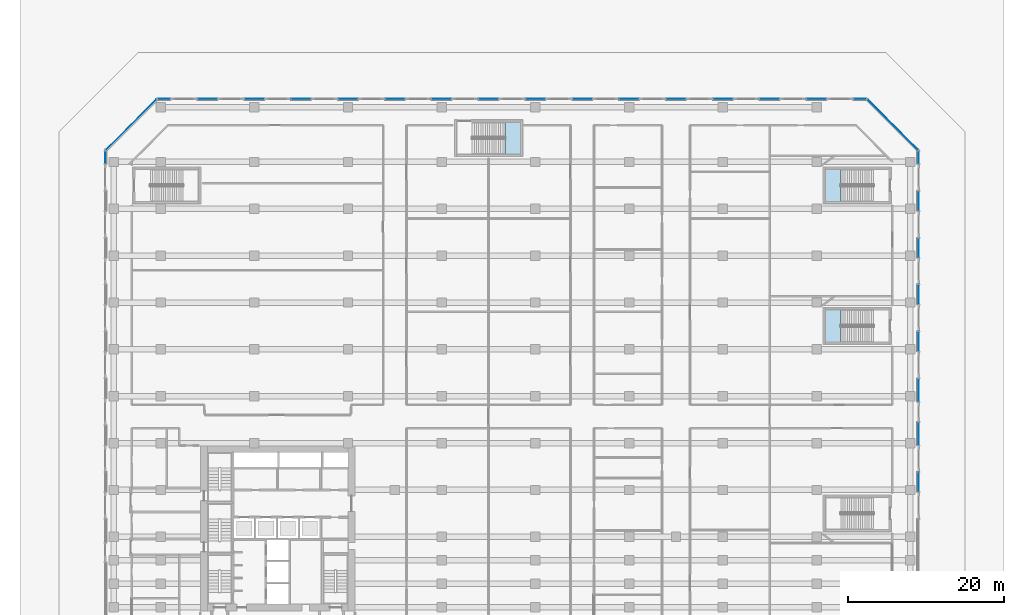
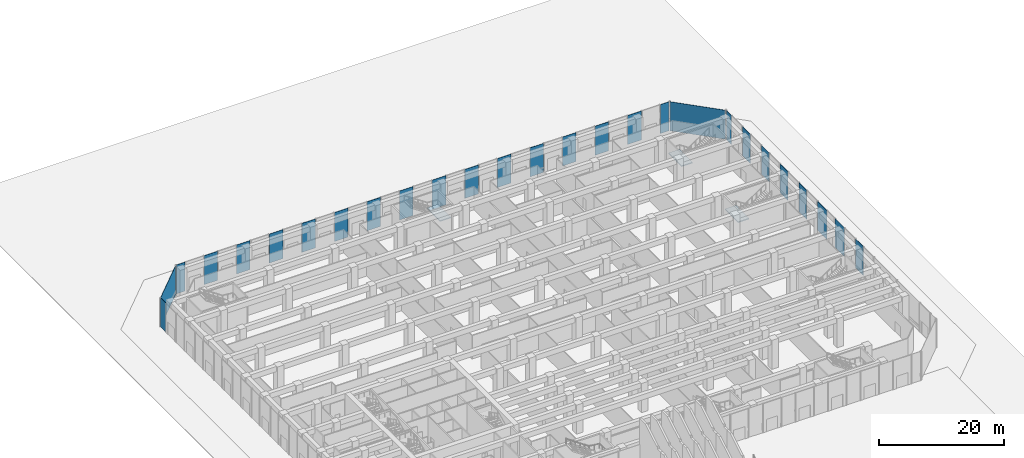
# One storey, part 15 of 32: 27 plates, 3 slabs, 30 elements without a shape of their own.
"""IFC4 building model written with IfcOpenShell, lengths in metres."""

from ifc_helpers import new_model, si_unit, direction, frame, origin, origin_2d, place, context, subcontext, project, spatial, polyline, rectangle, outline, extrude, material, layer, layer_set, type_object, element, aggregate, save


model = new_model("IFC4")

# Units and contexts
model_context = context("Model", 3, precision=1e-05, world=origin(), true_north=direction((0.0, 1.0)))
body_context = subcontext(model_context, "Body", "Model", "MODEL_VIEW")
ifc_project = project(units=[si_unit("LENGTHUNIT", "METRE"), si_unit("AREAUNIT", "SQUARE_METRE"), si_unit("VOLUMEUNIT", "CUBIC_METRE"), si_unit("PLANEANGLEUNIT", "RADIAN"), si_unit("MASSUNIT", "GRAM", prefix="KILO")], contexts=[model_context])

# Site, building, storey
site_placement = place(None, origin())
site = spatial("IfcSite", under=ifc_project, at=site_placement, CompositionType="ELEMENT")
building_placement = place(site_placement, origin())
building = spatial("IfcBuilding", under=site, at=building_placement, Name="Welwitschia Terrace Campus", CompositionType="ELEMENT")
storey_placement = place(building_placement, origin())
storey = spatial("IfcBuildingStorey", under=building, at=storey_placement, Name="L00", CompositionType="ELEMENT", Elevation=0.0)

# Curtain wall, plate
ifc_material_1 = material(Name="Bronze anodised aluminium", Category="aluminium")
ifc_layer_1 = layer(ifc_material_1, 0.199951171875)
ifc_layer_set_1 = layer_set([ifc_layer_1], Name="Bronze anodised aluminium")
curtain_wall_type = type_object("IfcCurtainWallType", Name="Curtain wall CW4 arcade shopfront 7500", PredefinedType="NOTDEFINED", material=ifc_layer_set_1)
curtain_wall_1_placement = place(storey_placement, origin())
curtain_wall_1 = element("IfcCurtainWall", 1, at=curtain_wall_1_placement, inside=storey, type_object=curtain_wall_type, Name="CW L00.2.g2", PredefinedType="NOTDEFINED")
ifc_material_2 = material(Name="Tinted bronze-grey glass", Category="glass")
ifc_layer_2 = layer(ifc_material_2, 0.0439453125)
ifc_layer_set_2 = layer_set([ifc_layer_2], Name="Tinted bronze-grey glass")
plate_type = type_object("IfcPlateType", Name="Glass panel 44 laminated", PredefinedType="CURTAIN_PANEL", material=ifc_layer_set_2)
plate_1_placement = place(storey_placement, frame((97.0849609375, 21.0, 0.0), z_axis=(0.0, 0.0, 1.0), x_axis=(0.0, 1.0, 0.0)))
plate_1 = element("IfcPlate", 2, at=plate_1_placement, type_object=plate_type, Name="Panel L00.2.g2.0", PredefinedType="CURTAIN_PANEL", context=body_context, shape_type="SweptSolid", body=[
    extrude(rectangle(XDim=2.5, YDim=0.0439453125, at=origin_2d()), origin(), (0.0, 0.0, 1.0), 5.64990234375),
])
aggregate(curtain_wall_1, [plate_1])

curtain_wall_2_placement = place(storey_placement, origin())
curtain_wall_2 = element("IfcCurtainWall", 3, at=curtain_wall_2_placement, inside=storey, type_object=curtain_wall_type, Name="CW L00.2.g3", PredefinedType="NOTDEFINED")
plate_2_placement = place(storey_placement, frame((97.0849609375, 27.22509765625, 0.0), z_axis=(0.0, 0.0, 1.0), x_axis=(0.0, 1.0, 0.0)))
plate_2 = element("IfcPlate", 4, at=plate_2_placement, type_object=plate_type, Name="Panel L00.2.g3.0", PredefinedType="CURTAIN_PANEL", context=body_context, shape_type="SweptSolid", body=[
    extrude(rectangle(XDim=2.949951171875, YDim=0.0439453125, at=origin_2d()), origin(), (0.0, 0.0, 1.0), 5.64990234375),
])
aggregate(curtain_wall_2, [plate_2])

curtain_wall_3_placement = place(storey_placement, origin())
curtain_wall_3 = element("IfcCurtainWall", 5, at=curtain_wall_3_placement, inside=storey, type_object=curtain_wall_type, Name="CW L00.2.g4", PredefinedType="NOTDEFINED")
plate_3_placement = place(storey_placement, frame((97.0849609375, 32.77490234375, 0.0), z_axis=(0.0, 0.0, 1.0), x_axis=(0.0, 1.0, 0.0)))
plate_3 = element("IfcPlate", 6, at=plate_3_placement, type_object=plate_type, Name="Panel L00.2.g4.0", PredefinedType="CURTAIN_PANEL", context=body_context, shape_type="SweptSolid", body=[
    extrude(rectangle(XDim=2.949951171875, YDim=0.0439453125, at=origin_2d()), origin(), (0.0, 0.0, 1.0), 5.64990234375),
])
aggregate(curtain_wall_3, [plate_3])

curtain_wall_4_placement = place(storey_placement, origin())
curtain_wall_4 = element("IfcCurtainWall", 7, at=curtain_wall_4_placement, inside=storey, type_object=curtain_wall_type, Name="CW L00.2.g5", PredefinedType="NOTDEFINED")
plate_4_placement = place(storey_placement, frame((97.0849609375, 39.0, 0.0), z_axis=(0.0, 0.0, 1.0), x_axis=(0.0, 1.0, 0.0)))
plate_4 = element("IfcPlate", 8, at=plate_4_placement, type_object=plate_type, Name="Panel L00.2.g5.0", PredefinedType="CURTAIN_PANEL", context=body_context, shape_type="SweptSolid", body=[
    extrude(rectangle(XDim=2.5, YDim=0.0439453125, at=origin_2d()), origin(), (0.0, 0.0, 1.0), 5.64990234375),
])
aggregate(curtain_wall_4, [plate_4])

curtain_wall_5_placement = place(storey_placement, origin())
curtain_wall_5 = element("IfcCurtainWall", 9, at=curtain_wall_5_placement, inside=storey, type_object=curtain_wall_type, Name="CW L00.2.g6", PredefinedType="NOTDEFINED")
plate_5_placement = place(storey_placement, frame((97.0849609375, 45.0, 0.0), z_axis=(0.0, 0.0, 1.0), x_axis=(0.0, 1.0, 0.0)))
plate_5 = element("IfcPlate", 10, at=plate_5_placement, type_object=plate_type, Name="Panel L00.2.g6.0", PredefinedType="CURTAIN_PANEL", context=body_context, shape_type="SweptSolid", body=[
    extrude(rectangle(XDim=2.5, YDim=0.0439453125, at=origin_2d()), origin(), (0.0, 0.0, 1.0), 5.64990234375),
])
aggregate(curtain_wall_5, [plate_5])

curtain_wall_6_placement = place(storey_placement, origin())
curtain_wall_6 = element("IfcCurtainWall", 11, at=curtain_wall_6_placement, inside=storey, type_object=curtain_wall_type, Name="CW L00.2.g7", PredefinedType="NOTDEFINED")
plate_6_placement = place(storey_placement, frame((97.0849609375, 51.0, 0.0), z_axis=(0.0, 0.0, 1.0), x_axis=(0.0, 1.0, 0.0)))
plate_6 = element("IfcPlate", 12, at=plate_6_placement, type_object=plate_type, Name="Panel L00.2.g7.0", PredefinedType="CURTAIN_PANEL", context=body_context, shape_type="SweptSolid", body=[
    extrude(rectangle(XDim=2.5, YDim=0.0439453125, at=origin_2d()), origin(), (0.0, 0.0, 1.0), 5.64990234375),
])
aggregate(curtain_wall_6, [plate_6])

curtain_wall_7_placement = place(storey_placement, origin())
curtain_wall_7 = element("IfcCurtainWall", 13, at=curtain_wall_7_placement, inside=storey, type_object=curtain_wall_type, Name="CW L00.2.g8", PredefinedType="NOTDEFINED")
plate_7_placement = place(storey_placement, frame((97.0849609375, 57.0, 0.0), z_axis=(0.0, 0.0, 1.0), x_axis=(0.0, 1.0, 0.0)))
plate_7 = element("IfcPlate", 14, at=plate_7_placement, type_object=plate_type, Name="Panel L00.2.g8.0", PredefinedType="CURTAIN_PANEL", context=body_context, shape_type="SweptSolid", body=[
    extrude(rectangle(XDim=2.5, YDim=0.0439453125, at=origin_2d()), origin(), (0.0, 0.0, 1.0), 5.64990234375),
])
aggregate(curtain_wall_7, [plate_7])

curtain_wall_8_placement = place(storey_placement, origin())
curtain_wall_8 = element("IfcCurtainWall", 15, at=curtain_wall_8_placement, inside=storey, type_object=curtain_wall_type, Name="CW L00.2.g9", PredefinedType="NOTDEFINED")
plate_8_placement = place(storey_placement, frame((97.0849609375, 62.5498046875, 0.0), z_axis=(0.0, 0.0, 1.0), x_axis=(0.0, 1.0, 0.0)))
plate_8 = element("IfcPlate", 16, at=plate_8_placement, type_object=plate_type, Name="Panel L00.2.g9.0", PredefinedType="CURTAIN_PANEL", context=body_context, shape_type="SweptSolid", body=[
    extrude(rectangle(XDim=1.599365234375, YDim=0.0439453125, at=origin_2d()), origin(), (0.0, 0.0, 1.0), 5.64990234375),
])
aggregate(curtain_wall_8, [plate_8])

curtain_wall_9_placement = place(storey_placement, origin())
curtain_wall_9 = element("IfcCurtainWall", 17, at=curtain_wall_9_placement, inside=storey, type_object=curtain_wall_type, Name="CW L00.3.g0", PredefinedType="NOTDEFINED")
plate_9_placement = place(storey_placement, frame((93.76708984375, 66.76708984375, 0.0), z_axis=(0.0, 0.0, 1.0), x_axis=(-0.707106781187, 0.707106781187, 0.0)))
plate_9 = element("IfcPlate", 18, at=plate_9_placement, type_object=plate_type, Name="Panel L00.3.g0.0", PredefinedType="CURTAIN_PANEL", context=body_context, shape_type="SweptSolid", body=[
    extrude(rectangle(XDim=9.18408203125, YDim=0.0439453125, at=origin_2d()), origin(), (0.0, 0.0, 1.0), 5.64990234375),
])
aggregate(curtain_wall_9, [plate_9])

curtain_wall_10_placement = place(storey_placement, origin())
curtain_wall_10 = element("IfcCurtainWall", 19, at=curtain_wall_10_placement, inside=storey, type_object=curtain_wall_type, Name="CW L00.4.g0", PredefinedType="NOTDEFINED")
plate_10_placement = place(storey_placement, frame((89.5498046875, 70.0849609375, 0.0), z_axis=(0.0, 0.0, 1.0), x_axis=(-1.0, 0.0, 0.0)))
plate_10 = element("IfcPlate", 20, at=plate_10_placement, type_object=plate_type, Name="Panel L00.4.g0.0", PredefinedType="CURTAIN_PANEL", context=body_context, shape_type="SweptSolid", body=[
    extrude(rectangle(XDim=1.599365234375, YDim=0.0439453125, at=origin_2d()), origin(), (0.0, 0.0, 1.0), 5.64990234375),
])
aggregate(curtain_wall_10, [plate_10])

curtain_wall_11_placement = place(storey_placement, origin())
curtain_wall_11 = element("IfcCurtainWall", 21, at=curtain_wall_11_placement, inside=storey, type_object=curtain_wall_type, Name="CW L00.4.g1", PredefinedType="NOTDEFINED")
plate_11_placement = place(storey_placement, frame((84.0, 70.0849609375, 0.0), z_axis=(0.0, 0.0, 1.0), x_axis=(-1.0, 0.0, 0.0)))
plate_11 = element("IfcPlate", 22, at=plate_11_placement, type_object=plate_type, Name="Panel L00.4.g1.0", PredefinedType="CURTAIN_PANEL", context=body_context, shape_type="SweptSolid", body=[
    extrude(rectangle(XDim=2.5, YDim=0.0439453125, at=origin_2d()), origin(), (0.0, 0.0, 1.0), 5.64990234375),
])
aggregate(curtain_wall_11, [plate_11])

curtain_wall_12_placement = place(storey_placement, origin())
curtain_wall_12 = element("IfcCurtainWall", 23, at=curtain_wall_12_placement, inside=storey, type_object=curtain_wall_type, Name="CW L00.4.g2", PredefinedType="NOTDEFINED")
plate_12_placement = place(storey_placement, frame((78.0, 70.0849609375, 0.0), z_axis=(0.0, 0.0, 1.0), x_axis=(-1.0, 0.0, 0.0)))
plate_12 = element("IfcPlate", 24, at=plate_12_placement, type_object=plate_type, Name="Panel L00.4.g2.0", PredefinedType="CURTAIN_PANEL", context=body_context, shape_type="SweptSolid", body=[
    extrude(rectangle(XDim=2.5, YDim=0.0439453125, at=origin_2d()), origin(), (0.0, 0.0, 1.0), 5.64990234375),
])
aggregate(curtain_wall_12, [plate_12])

curtain_wall_13_placement = place(storey_placement, origin())
curtain_wall_13 = element("IfcCurtainWall", 25, at=curtain_wall_13_placement, inside=storey, type_object=curtain_wall_type, Name="CW L00.4.g3", PredefinedType="NOTDEFINED")
plate_13_placement = place(storey_placement, frame((72.0, 70.0849609375, 0.0), z_axis=(0.0, 0.0, 1.0), x_axis=(-1.0, 0.0, 0.0)))
plate_13 = element("IfcPlate", 26, at=plate_13_placement, type_object=plate_type, Name="Panel L00.4.g3.0", PredefinedType="CURTAIN_PANEL", context=body_context, shape_type="SweptSolid", body=[
    extrude(rectangle(XDim=2.5, YDim=0.0439453125, at=origin_2d()), origin(), (0.0, 0.0, 1.0), 5.64990234375),
])
aggregate(curtain_wall_13, [plate_13])

curtain_wall_14_placement = place(storey_placement, origin())
curtain_wall_14 = element("IfcCurtainWall", 27, at=curtain_wall_14_placement, inside=storey, type_object=curtain_wall_type, Name="CW L00.4.g4", PredefinedType="NOTDEFINED")
plate_14_placement = place(storey_placement, frame((66.0, 70.0849609375, 0.0), z_axis=(0.0, 0.0, 1.0), x_axis=(-1.0, 0.0, 0.0)))
plate_14 = element("IfcPlate", 28, at=plate_14_placement, type_object=plate_type, Name="Panel L00.4.g4.0", PredefinedType="CURTAIN_PANEL", context=body_context, shape_type="SweptSolid", body=[
    extrude(rectangle(XDim=2.5, YDim=0.0439453125, at=origin_2d()), origin(), (0.0, 0.0, 1.0), 5.64990234375),
])
aggregate(curtain_wall_14, [plate_14])

curtain_wall_15_placement = place(storey_placement, origin())
curtain_wall_15 = element("IfcCurtainWall", 29, at=curtain_wall_15_placement, inside=storey, type_object=curtain_wall_type, Name="CW L00.4.g5", PredefinedType="NOTDEFINED")
plate_15_placement = place(storey_placement, frame((60.0, 70.0849609375, 0.0), z_axis=(0.0, 0.0, 1.0), x_axis=(-1.0, 0.0, 0.0)))
plate_15 = element("IfcPlate", 30, at=plate_15_placement, type_object=plate_type, Name="Panel L00.4.g5.0", PredefinedType="CURTAIN_PANEL", context=body_context, shape_type="SweptSolid", body=[
    extrude(rectangle(XDim=2.5, YDim=0.0439453125, at=origin_2d()), origin(), (0.0, 0.0, 1.0), 5.64990234375),
])
aggregate(curtain_wall_15, [plate_15])

curtain_wall_16_placement = place(storey_placement, origin())
curtain_wall_16 = element("IfcCurtainWall", 31, at=curtain_wall_16_placement, inside=storey, type_object=curtain_wall_type, Name="CW L00.4.g6", PredefinedType="NOTDEFINED")
plate_16_placement = place(storey_placement, frame((54.0, 70.0849609375, 0.0), z_axis=(0.0, 0.0, 1.0), x_axis=(-1.0, 0.0, 0.0)))
plate_16 = element("IfcPlate", 32, at=plate_16_placement, type_object=plate_type, Name="Panel L00.4.g6.0", PredefinedType="CURTAIN_PANEL", context=body_context, shape_type="SweptSolid", body=[
    extrude(rectangle(XDim=2.5, YDim=0.0439453125, at=origin_2d()), origin(), (0.0, 0.0, 1.0), 5.64990234375),
])
aggregate(curtain_wall_16, [plate_16])

curtain_wall_17_placement = place(storey_placement, origin())
curtain_wall_17 = element("IfcCurtainWall", 33, at=curtain_wall_17_placement, inside=storey, type_object=curtain_wall_type, Name="CW L00.4.g7", PredefinedType="NOTDEFINED")
plate_17_placement = place(storey_placement, frame((48.0, 70.0849609375, 0.0), z_axis=(0.0, 0.0, 1.0), x_axis=(-1.0, 0.0, 0.0)))
plate_17 = element("IfcPlate", 34, at=plate_17_placement, type_object=plate_type, Name="Panel L00.4.g7.0", PredefinedType="CURTAIN_PANEL", context=body_context, shape_type="SweptSolid", body=[
    extrude(rectangle(XDim=2.5, YDim=0.0439453125, at=origin_2d()), origin(), (0.0, 0.0, 1.0), 5.64990234375),
])
aggregate(curtain_wall_17, [plate_17])

curtain_wall_18_placement = place(storey_placement, origin())
curtain_wall_18 = element("IfcCurtainWall", 35, at=curtain_wall_18_placement, inside=storey, type_object=curtain_wall_type, Name="CW L00.4.g8", PredefinedType="NOTDEFINED")
plate_18_placement = place(storey_placement, frame((42.0, 70.0849609375, 0.0), z_axis=(0.0, 0.0, 1.0), x_axis=(-1.0, 0.0, 0.0)))
plate_18 = element("IfcPlate", 36, at=plate_18_placement, type_object=plate_type, Name="Panel L00.4.g8.0", PredefinedType="CURTAIN_PANEL", context=body_context, shape_type="SweptSolid", body=[
    extrude(rectangle(XDim=2.5, YDim=0.0439453125, at=origin_2d()), origin(), (0.0, 0.0, 1.0), 5.64990234375),
])
aggregate(curtain_wall_18, [plate_18])

curtain_wall_19_placement = place(storey_placement, origin())
curtain_wall_19 = element("IfcCurtainWall", 37, at=curtain_wall_19_placement, inside=storey, type_object=curtain_wall_type, Name="CW L00.4.g9", PredefinedType="NOTDEFINED")
plate_19_placement = place(storey_placement, frame((36.0, 70.0849609375, 0.0), z_axis=(0.0, 0.0, 1.0), x_axis=(-1.0, 0.0, 0.0)))
plate_19 = element("IfcPlate", 38, at=plate_19_placement, type_object=plate_type, Name="Panel L00.4.g9.0", PredefinedType="CURTAIN_PANEL", context=body_context, shape_type="SweptSolid", body=[
    extrude(rectangle(XDim=2.5, YDim=0.0439453125, at=origin_2d()), origin(), (0.0, 0.0, 1.0), 5.64990234375),
])
aggregate(curtain_wall_19, [plate_19])

curtain_wall_20_placement = place(storey_placement, origin())
curtain_wall_20 = element("IfcCurtainWall", 39, at=curtain_wall_20_placement, inside=storey, type_object=curtain_wall_type, Name="CW L00.4.g10", PredefinedType="NOTDEFINED")
plate_20_placement = place(storey_placement, frame((30.0, 70.0849609375, 0.0), z_axis=(0.0, 0.0, 1.0), x_axis=(-1.0, 0.0, 0.0)))
plate_20 = element("IfcPlate", 40, at=plate_20_placement, type_object=plate_type, Name="Panel L00.4.g10.0", PredefinedType="CURTAIN_PANEL", context=body_context, shape_type="SweptSolid", body=[
    extrude(rectangle(XDim=2.5, YDim=0.0439453125, at=origin_2d()), origin(), (0.0, 0.0, 1.0), 5.64990234375),
])
aggregate(curtain_wall_20, [plate_20])

curtain_wall_21_placement = place(storey_placement, origin())
curtain_wall_21 = element("IfcCurtainWall", 41, at=curtain_wall_21_placement, inside=storey, type_object=curtain_wall_type, Name="CW L00.4.g11", PredefinedType="NOTDEFINED")
plate_21_placement = place(storey_placement, frame((24.0, 70.0849609375, 0.0), z_axis=(0.0, 0.0, 1.0), x_axis=(-1.0, 0.0, 0.0)))
plate_21 = element("IfcPlate", 42, at=plate_21_placement, type_object=plate_type, Name="Panel L00.4.g11.0", PredefinedType="CURTAIN_PANEL", context=body_context, shape_type="SweptSolid", body=[
    extrude(rectangle(XDim=2.5, YDim=0.0439453125, at=origin_2d()), origin(), (0.0, 0.0, 1.0), 5.64990234375),
])
aggregate(curtain_wall_21, [plate_21])

curtain_wall_22_placement = place(storey_placement, origin())
curtain_wall_22 = element("IfcCurtainWall", 43, at=curtain_wall_22_placement, inside=storey, type_object=curtain_wall_type, Name="CW L00.4.g12", PredefinedType="NOTDEFINED")
plate_22_placement = place(storey_placement, frame((18.0, 70.0849609375, 0.0), z_axis=(0.0, 0.0, 1.0), x_axis=(-1.0, 0.0, 0.0)))
plate_22 = element("IfcPlate", 44, at=plate_22_placement, type_object=plate_type, Name="Panel L00.4.g12.0", PredefinedType="CURTAIN_PANEL", context=body_context, shape_type="SweptSolid", body=[
    extrude(rectangle(XDim=2.5, YDim=0.0439453125, at=origin_2d()), origin(), (0.0, 0.0, 1.0), 5.64990234375),
])
aggregate(curtain_wall_22, [plate_22])

curtain_wall_23_placement = place(storey_placement, origin())
curtain_wall_23 = element("IfcCurtainWall", 45, at=curtain_wall_23_placement, inside=storey, type_object=curtain_wall_type, Name="CW L00.4.g13", PredefinedType="NOTDEFINED")
plate_23_placement = place(storey_placement, frame((12.0, 70.0849609375, 0.0), z_axis=(0.0, 0.0, 1.0), x_axis=(-1.0, 0.0, 0.0)))
plate_23 = element("IfcPlate", 46, at=plate_23_placement, type_object=plate_type, Name="Panel L00.4.g13.0", PredefinedType="CURTAIN_PANEL", context=body_context, shape_type="SweptSolid", body=[
    extrude(rectangle(XDim=2.5, YDim=0.0439453125, at=origin_2d()), origin(), (0.0, 0.0, 1.0), 5.64990234375),
])
aggregate(curtain_wall_23, [plate_23])

curtain_wall_24_placement = place(storey_placement, origin())
curtain_wall_24 = element("IfcCurtainWall", 47, at=curtain_wall_24_placement, inside=storey, type_object=curtain_wall_type, Name="CW L00.4.g14", PredefinedType="NOTDEFINED")
plate_24_placement = place(storey_placement, frame((6.0, 70.0849609375, 0.0), z_axis=(0.0, 0.0, 1.0), x_axis=(-1.0, 0.0, 0.0)))
plate_24 = element("IfcPlate", 48, at=plate_24_placement, type_object=plate_type, Name="Panel L00.4.g14.0", PredefinedType="CURTAIN_PANEL", context=body_context, shape_type="SweptSolid", body=[
    extrude(rectangle(XDim=2.5, YDim=0.0439453125, at=origin_2d()), origin(), (0.0, 0.0, 1.0), 5.64990234375),
])
aggregate(curtain_wall_24, [plate_24])

curtain_wall_25_placement = place(storey_placement, origin())
curtain_wall_25 = element("IfcCurtainWall", 49, at=curtain_wall_25_placement, inside=storey, type_object=curtain_wall_type, Name="CW L00.4.g15", PredefinedType="NOTDEFINED")
plate_25_placement = place(storey_placement, frame((0.4501953125, 70.0849609375, 0.0), z_axis=(0.0, 0.0, 1.0), x_axis=(-1.0, 0.0, 0.0)))
plate_25 = element("IfcPlate", 50, at=plate_25_placement, type_object=plate_type, Name="Panel L00.4.g15.0", PredefinedType="CURTAIN_PANEL", context=body_context, shape_type="SweptSolid", body=[
    extrude(rectangle(XDim=1.599365234375, YDim=0.0439453125, at=origin_2d()), origin(), (0.0, 0.0, 1.0), 5.64990234375),
])
aggregate(curtain_wall_25, [plate_25])

curtain_wall_26_placement = place(storey_placement, origin())
curtain_wall_26 = element("IfcCurtainWall", 51, at=curtain_wall_26_placement, inside=storey, type_object=curtain_wall_type, Name="CW L00.5.g0", PredefinedType="NOTDEFINED")
plate_26_placement = place(storey_placement, frame((-3.76708984375, 66.76708984375, 0.0), z_axis=(0.0, 0.0, 1.0), x_axis=(-0.707106781187, -0.707106781187, 0.0)))
plate_26 = element("IfcPlate", 52, at=plate_26_placement, type_object=plate_type, Name="Panel L00.5.g0.0", PredefinedType="CURTAIN_PANEL", context=body_context, shape_type="SweptSolid", body=[
    extrude(rectangle(XDim=9.18408203125, YDim=0.0439453125, at=origin_2d()), origin(), (0.0, 0.0, 1.0), 5.64990234375),
])
aggregate(curtain_wall_26, [plate_26])

curtain_wall_27_placement = place(storey_placement, origin())
curtain_wall_27 = element("IfcCurtainWall", 53, at=curtain_wall_27_placement, inside=storey, type_object=curtain_wall_type, Name="CW L00.6.g0", PredefinedType="NOTDEFINED")
plate_27_placement = place(storey_placement, frame((-7.0849609375, 62.5498046875, 0.0), z_axis=(0.0, 0.0, 1.0), x_axis=(0.0, -1.0, 0.0)))
plate_27 = element("IfcPlate", 54, at=plate_27_placement, type_object=plate_type, Name="Panel L00.6.g0.0", PredefinedType="CURTAIN_PANEL", context=body_context, shape_type="SweptSolid", body=[
    extrude(rectangle(XDim=1.599365234375, YDim=0.0439453125, at=origin_2d()), origin(), (0.0, 0.0, 1.0), 5.64990234375),
])
aggregate(curtain_wall_27, [plate_27])

# Stair, slab
ifc_material_3 = material(Name="Concrete C40/50", Category="concrete")
stair_type = type_object("IfcStairType", Name="Stair 32R 188 W2000", PredefinedType="HALF_TURN_STAIR", material=ifc_material_3)
stair_1_placement = place(storey_placement, origin())
stair_1 = element("IfcStair", 55, at=stair_1_placement, inside=storey, type_object=stair_type, Name="L00 Podium stair P3", PredefinedType="HALF_TURN_STAIR")
ifc_material_4 = material(Name="Concrete C40/50", Category="concrete")
ifc_layer_3 = layer(ifc_material_4, 0.199951171875)
ifc_layer_set_3 = layer_set([ifc_layer_3], Name="Concrete C40/50")
slab_type = type_object("IfcSlabType", Name="Stair landing RC", PredefinedType="LANDING", material=ifc_layer_set_3)
slab_1_placement = place(storey_placement, frame((0.0, 0.0, 2.800048828125)))
slab_1 = element("IfcSlab", 56, at=slab_1_placement, type_object=slab_type, Name="P3 landing 1", PredefinedType="LANDING", context=body_context, shape_type="SweptSolid", body=[
    extrude(outline(polyline([(87.10009765625, 61.074951171875), (85.10009765625, 61.074951171875), (85.10009765625, 56.925048828125), (87.10009765625, 56.925048828125), (87.10009765625, 61.074951171875)])), origin(), (0.0, 0.0, 1.0), 0.199951171875),
])
aggregate(stair_1, [slab_1])

stair_2_placement = place(storey_placement, origin())
stair_2 = element("IfcStair", 57, at=stair_2_placement, inside=storey, type_object=stair_type, Name="L00 Podium stair P7", PredefinedType="HALF_TURN_STAIR")
slab_2_placement = place(storey_placement, frame((0.0, 0.0, 2.800048828125)))
slab_2 = element("IfcSlab", 58, at=slab_2_placement, type_object=slab_type, Name="P7 landing 1", PredefinedType="LANDING", context=body_context, shape_type="SweptSolid", body=[
    extrude(outline(polyline([(44.10009765625, 62.97509765625), (46.10009765625, 62.97509765625), (46.10009765625, 67.125), (44.10009765625, 67.125), (44.10009765625, 62.97509765625)])), origin(), (0.0, 0.0, 1.0), 0.199951171875),
])
aggregate(stair_2, [slab_2])

stair_3_placement = place(storey_placement, origin())
stair_3 = element("IfcStair", 59, at=stair_3_placement, inside=storey, type_object=stair_type, Name="L00 Podium stair P8", PredefinedType="HALF_TURN_STAIR")
slab_3_placement = place(storey_placement, frame((0.0, 0.0, 2.800048828125)))
slab_3 = element("IfcSlab", 60, at=slab_3_placement, type_object=slab_type, Name="P8 landing 1", PredefinedType="LANDING", context=body_context, shape_type="SweptSolid", body=[
    extrude(outline(polyline([(87.10009765625, 43.074951171875), (85.10009765625, 43.074951171875), (85.10009765625, 38.925048828125), (87.10009765625, 38.925048828125), (87.10009765625, 43.074951171875)])), origin(), (0.0, 0.0, 1.0), 0.199951171875),
])
aggregate(stair_3, [slab_3])

save(model, "model.ifc")
